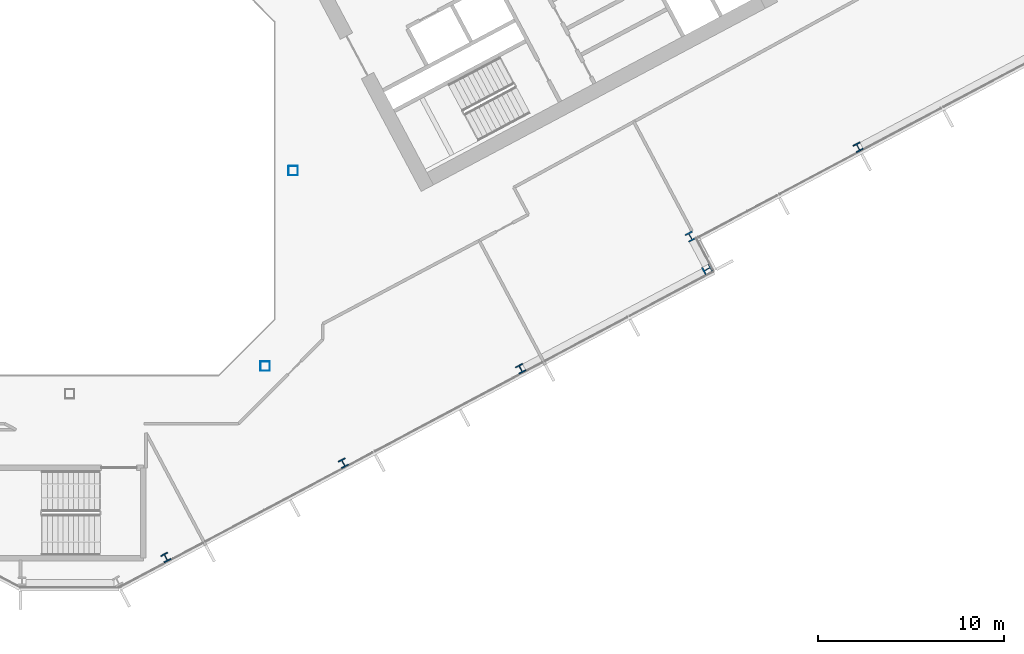
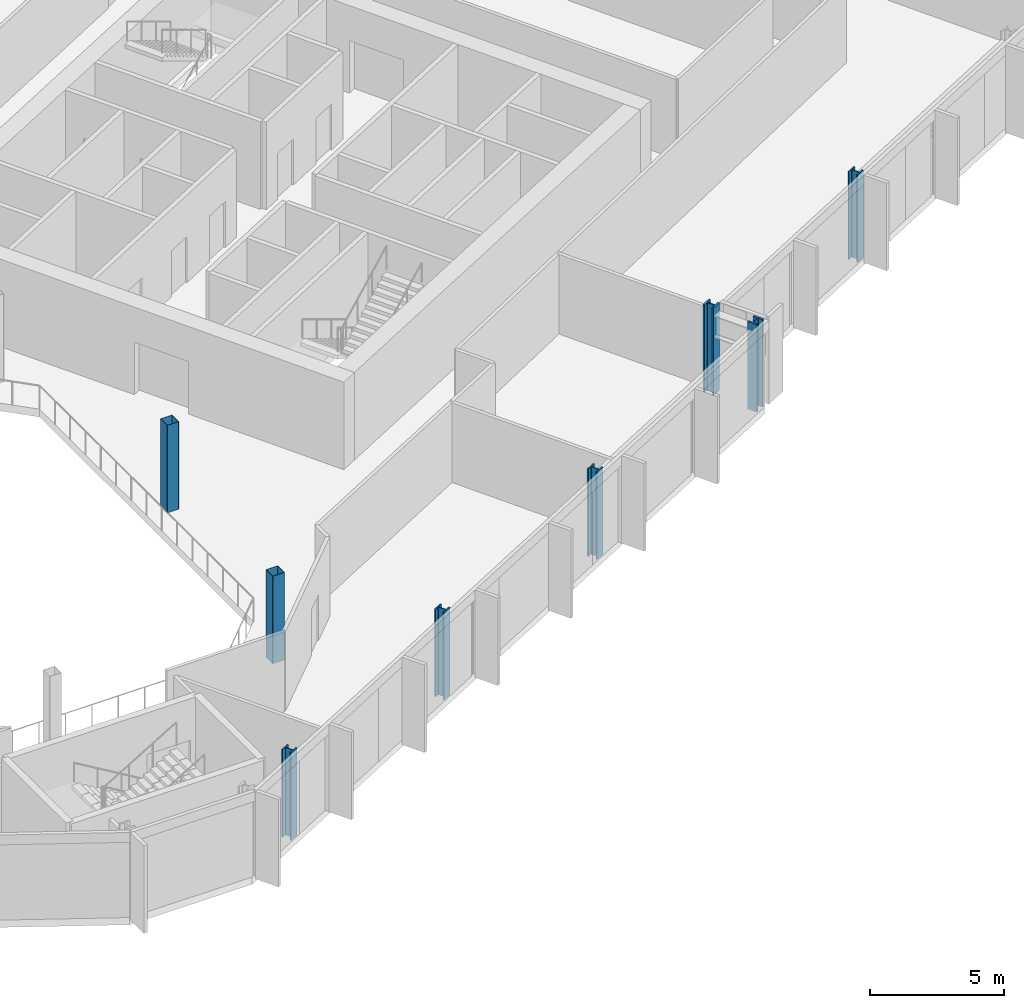
# One storey, part 5 of 28: 8 columns.
"""IFC4 building model written with IfcOpenShell, lengths in metres."""

from ifc_helpers import new_model, si_unit, direction, frame, origin, origin_2d, place, context, subcontext, project, spatial, hollow_rectangle, i_section, extrude, material, material_profile, profile_set, type_object, element, save


model = new_model("IFC4")

# Units and contexts
model_context = context("Model", 3, precision=1e-05, world=origin(), true_north=direction((0.0, 1.0)))
body_context = subcontext(model_context, "Body", "Model", "MODEL_VIEW")
ifc_project = project(units=[si_unit("LENGTHUNIT", "METRE"), si_unit("AREAUNIT", "SQUARE_METRE"), si_unit("VOLUMEUNIT", "CUBIC_METRE"), si_unit("PLANEANGLEUNIT", "RADIAN"), si_unit("MASSUNIT", "GRAM", prefix="KILO")], contexts=[model_context])

# Site, building, storey
site_placement = place(None, origin())
site = spatial("IfcSite", under=ifc_project, at=site_placement, CompositionType="ELEMENT")
building_placement = place(site_placement, origin())
building = spatial("IfcBuilding", under=site, at=building_placement, Name="Cormorant Relay Tower", CompositionType="ELEMENT")
storey_placement = place(building_placement, frame((0.0, 0.0, 170.199951171875)))
storey = spatial("IfcBuildingStorey", under=building, at=storey_placement, Name="L36", CompositionType="ELEMENT", Elevation=170.199951171875)

# Columns
ifc_material_1 = material(Name="Steel ASTM A500 Grade C (Fy 345 MPa)", Category="steel")
ifc_material_profile_1 = material_profile(ifc_material_1, hollow_rectangle(XDim=0.508056640625, YDim=0.508056640625, WallThickness=0.01171875, InnerFilletRadius=0.005859375, OuterFilletRadius=0.017822265625, at=origin_2d()), Name="HSS508x508x12")
ifc_profile_set_1 = profile_set([ifc_material_profile_1], Name="Steel ASTM A500 Grade C (Fy 345 MPa)")
column_type_1 = type_object("IfcColumnType", Name="Column HSS508x508x12", PredefinedType="COLUMN", material=ifc_profile_set_1)
for number, where, z_axis, x_axis, name in (
    (1, (10.5, -10.5, 0.0), (0.0, 0.0, 1.0), (1.0, 0.0, 0.0), "Column L36-010"),
    (2, (12.0, 0.0, 0.0), (0.0, 0.0, 1.0), (1.0, 0.0, 0.0), "Column L36-016"),
):
    element("IfcColumn", number, at=place(storey_placement, frame(where, z_axis=z_axis, x_axis=x_axis)), inside=storey, type_object=column_type_1, Name=name, PredefinedType="COLUMN", context=body_context, shape_type="SweptSolid", body=[
        extrude(hollow_rectangle(XDim=0.508056640625, YDim=0.508056640625, WallThickness=0.01171875, InnerFilletRadius=0.005859375, OuterFilletRadius=0.017822265625, at=origin_2d()), origin(), (0.0, 0.0, 1.0), 4.0),
    ])
ifc_material_2 = material(Name="Steel ASTM A992 (Fy 345 MPa)", Category="steel")
ifc_material_profile_2 = material_profile(ifc_material_2, i_section(OverallWidth=0.41162109375, OverallDepth=0.434326171875, WebThickness=0.035888671875, FlangeThickness=0.057373046875, FilletRadius=0.01513671875, at=origin_2d()), Name="W360x463")
ifc_profile_set_2 = profile_set([ifc_material_profile_2], Name="Steel ASTM A992 (Fy 345 MPa)")
column_type_2 = type_object("IfcColumnType", Name="Column W360x463", PredefinedType="COLUMN", material=ifc_profile_set_2)
for number, where, z_axis, x_axis, name in (
    (3, (5.1640625, -20.7890625, 0.0), (0.0, 0.0, 1.0), (0.882947592859, 0.469471562786, 0.0), "Column L36-003"),
    (4, (14.699951171875, -15.718994140625, 0.0), (0.0, 0.0, 1.0), (0.882947592859, 0.469471562786, 0.0), "Column L36-005"),
    (5, (24.236083984375, -10.64794921875, 0.0), (0.0, 0.0, 1.0), (0.882947592859, 0.469471562786, 0.0), "Column L36-008"),
    (6, (42.368896484375, 1.258056640625, 0.0), (0.0, 0.0, 1.0), (0.882947592859, 0.469471562786, 0.0), "Column L36-017"),
):
    element("IfcColumn", number, at=place(storey_placement, frame(where, z_axis=z_axis, x_axis=x_axis)), inside=storey, type_object=column_type_2, Name=name, PredefinedType="COLUMN", context=body_context, shape_type="SweptSolid", body=[
        extrude(i_section(OverallWidth=0.41162109375, OverallDepth=0.434326171875, WebThickness=0.035888671875, FlangeThickness=0.057373046875, FilletRadius=0.01513671875, at=origin_2d()), origin(), (0.0, 0.0, 1.0), 4.0),
    ])
ifc_material_3 = material(Name="Steel ASTM A992 (Fy 345 MPa)", Category="steel")
ifc_material_profile_3 = material_profile(ifc_material_3, i_section(OverallWidth=0.42431640625, OverallDepth=0.47509765625, WebThickness=0.0478515625, FlangeThickness=0.0771484375, FilletRadius=0.014892578125, at=origin_2d()), Name="W360x634")
ifc_profile_set_3 = profile_set([ifc_material_profile_3], Name="Steel ASTM A992 (Fy 345 MPa)")
column_type_3 = type_object("IfcColumnType", Name="Column W360x634", PredefinedType="COLUMN", material=ifc_profile_set_3)
for number, where, z_axis, x_axis, name in (
    (7, (34.256103515625, -5.297119140625, 0.0), (0.0, 0.0, 1.0), (-0.469471562786, 0.882947592859, 0.0), "Column L36-012"),
    (8, (33.35595703125, -3.54296875, 0.0), (0.0, 0.0, 1.0), (0.882947592859, 0.469471562786, 0.0), "Column L36-014"),
):
    element("IfcColumn", number, at=place(storey_placement, frame(where, z_axis=z_axis, x_axis=x_axis)), inside=storey, type_object=column_type_3, Name=name, PredefinedType="COLUMN", context=body_context, shape_type="SweptSolid", body=[
        extrude(i_section(OverallWidth=0.42431640625, OverallDepth=0.47509765625, WebThickness=0.0478515625, FlangeThickness=0.0771484375, FilletRadius=0.014892578125, at=origin_2d()), origin(), (0.0, 0.0, 1.0), 4.0),
    ])

save(model, "model.ifc")
